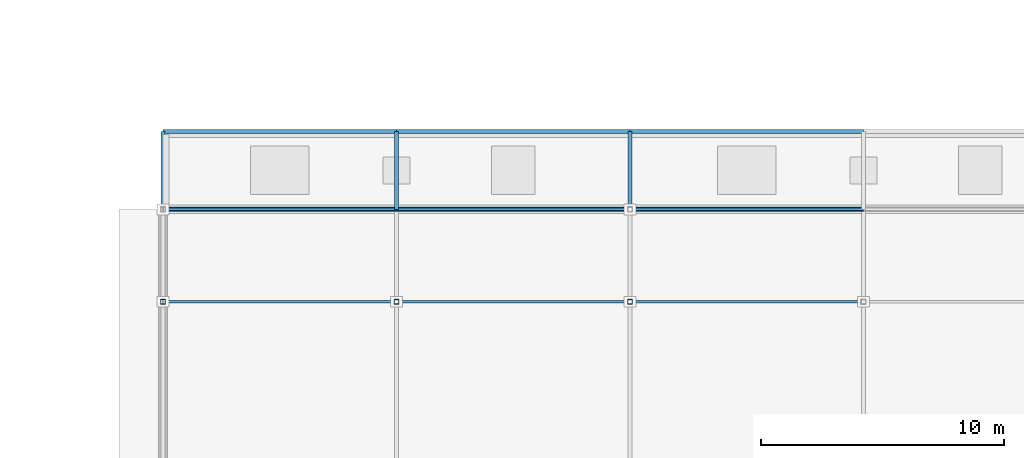
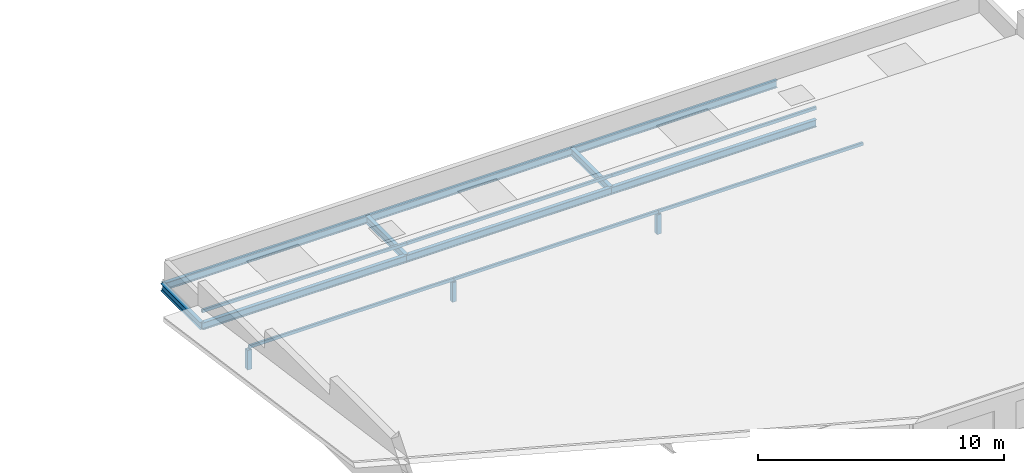
# One storey, part 30 of 70: 9 beams, 9 members.
"""IFC4 building model written with IfcOpenShell, lengths in metres."""

from ifc_helpers import new_model, si_unit, direction, frame, origin, origin_2d, place, context, subcontext, project, spatial, hollow_rectangle, i_section, extrude, material, material_profile, profile_set, type_object, element, save


model = new_model("IFC4")

# Units and contexts
model_context = context("Model", 3, precision=1e-05, world=origin(), true_north=direction((0.0, 1.0)))
body_context = subcontext(model_context, "Body", "Model", "MODEL_VIEW")
ifc_project = project(units=[si_unit("LENGTHUNIT", "METRE"), si_unit("AREAUNIT", "SQUARE_METRE"), si_unit("VOLUMEUNIT", "CUBIC_METRE"), si_unit("PLANEANGLEUNIT", "RADIAN"), si_unit("MASSUNIT", "GRAM", prefix="KILO")], contexts=[model_context])

# Site, building, storey
site_placement = place(None, origin())
site = spatial("IfcSite", under=ifc_project, at=site_placement, CompositionType="ELEMENT")
building_placement = place(site_placement, origin())
building = spatial("IfcBuilding", under=site, at=building_placement, Name="Vondelvale Polytechnic", CompositionType="ELEMENT")
storey_placement = place(building_placement, frame((0.0, 0.0, 22.199951171875)))
storey = spatial("IfcBuildingStorey", under=building, at=storey_placement, Name="L05", CompositionType="ELEMENT", Elevation=22.199951171875)

# Beams
ifc_material_1 = material(Name="Steel 300PLUS (fy = 300 MPa)", Category="steel")
ifc_material_profile_1 = material_profile(ifc_material_1, i_section(OverallWidth=0.172119140625, OverallDepth=0.35888671875, WebThickness=0.008056640625, FlangeThickness=0.012939453125, FilletRadius=0.011474609375, at=origin_2d()), Name="360UB56.7")
ifc_profile_set_1 = profile_set([ifc_material_profile_1], Name="Steel 300PLUS (fy = 300 MPa)")
beam_type = type_object("IfcBeamType", Name="BM-UB360H", PredefinedType="BEAM", material=ifc_profile_set_1)
for number, where, z_axis, x_axis, name in (
    (1, (134.39990234375, 24.199951171875, -0.359375), (1.0, 0.0, 0.0), (0.0, 1.0, 0.0), "L05 RM B-15"),
    (2, (134.39990234375, 27.39990234375, -0.359375), (1.0, 0.0, 0.0), (0.0, 1.0, 0.0), "L05 RM B-15"),
    (3, (144.0, 24.199951171875, -0.359375), (1.0, 0.0, 0.0), (0.0, 1.0, 0.0), "L05 RM B-15"),
    (4, (144.0, 27.39990234375, -0.359375), (1.0, 0.0, 0.0), (0.0, 1.0, 0.0), "L05 RM B-15"),
):
    element("IfcBeam", number, at=place(storey_placement, frame(where, z_axis=z_axis, x_axis=x_axis)), inside=storey, type_object=beam_type, Name=name, PredefinedType="BEAM", context=body_context, shape_type="SweptSolid", body=[
        extrude(i_section(OverallWidth=0.172119140625, OverallDepth=0.35888671875, WebThickness=0.008056640625, FlangeThickness=0.012939453125, FilletRadius=0.011474609375, at=origin_2d()), origin(), (0.0, 0.0, 1.0), 9.60009765625),
    ])
for number, where, z_axis, x_axis, name in (
    (5, (153.60009765625, 24.199951171875, -0.359375), (1.0, 0.0, 0.0), (0.0, 1.0, 0.0), "L05 RM B-15"),
    (6, (153.60009765625, 27.39990234375, -0.359375), (1.0, 0.0, 0.0), (0.0, 1.0, 0.0), "L05 RM B-15"),
):
    element("IfcBeam", number, at=place(storey_placement, frame(where, z_axis=z_axis, x_axis=x_axis)), inside=storey, type_object=beam_type, Name=name, PredefinedType="BEAM", context=body_context, shape_type="SweptSolid", body=[
        extrude(i_section(OverallWidth=0.172119140625, OverallDepth=0.35888671875, WebThickness=0.008056640625, FlangeThickness=0.012939453125, FilletRadius=0.011474609375, at=origin_2d()), origin(), (0.0, 0.0, 1.0), 9.599853515625),
    ])
for number, where, z_axis, x_axis, name in (
    (7, (134.39990234375, 24.199951171875, -0.359375), (0.0, 1.0, 0.0), (-1.0, 0.0, 0.0), "L05 RM B-15"),
    (8, (144.0, 24.199951171875, -0.359375), (0.0, 1.0, 0.0), (-1.0, 0.0, 0.0), "L05 RM B-15"),
    (9, (153.60009765625, 24.199951171875, -0.359375), (0.0, 1.0, 0.0), (-1.0, 0.0, 0.0), "L05 RM B-15"),
):
    element("IfcBeam", number, at=place(storey_placement, frame(where, z_axis=z_axis, x_axis=x_axis)), inside=storey, type_object=beam_type, Name=name, PredefinedType="BEAM", context=body_context, shape_type="SweptSolid", body=[
        extrude(i_section(OverallWidth=0.172119140625, OverallDepth=0.35888671875, WebThickness=0.008056640625, FlangeThickness=0.012939453125, FilletRadius=0.011474609375, at=origin_2d()), origin(), (0.0, 0.0, 1.0), 3.199951171875),
    ])

# Members
ifc_material_2 = material(Name="Steel C350L0 (fy = 350 MPa)", Category="steel")
ifc_material_profile_2 = material_profile(ifc_material_2, hollow_rectangle(XDim=0.10009765625, YDim=0.14990234375, WallThickness=0.0048828125, at=origin_2d()), Name="150x100x5.0RHS")
ifc_profile_set_2 = profile_set([ifc_material_profile_2], Name="Steel C350L0 (fy = 350 MPa)")
member_type_1 = type_object("IfcMemberType", Name="PURLIN RHS150", PredefinedType="PURLIN", material=ifc_profile_set_2)
for number, where, z_axis, x_axis, name in (
    (10, (134.39990234375, 20.39990234375, 0.8984375), (1.0, 0.0, 0.0), (0.0, 1.0, 0.0), "Lecture wing roof purlin"),
    (11, (134.39990234375, 24.199951171875, 0.364990234375), (1.0, 0.0, 0.0), (0.0, 1.0, 0.0), "Lecture wing roof purlin"),
    (12, (144.0, 20.39990234375, 0.8984375), (1.0, 0.0, 0.0), (0.0, 1.0, 0.0), "Lecture wing roof purlin"),
    (13, (144.0, 24.199951171875, 0.364990234375), (1.0, 0.0, 0.0), (0.0, 1.0, 0.0), "Lecture wing roof purlin"),
):
    element("IfcMember", number, at=place(storey_placement, frame(where, z_axis=z_axis, x_axis=x_axis)), inside=storey, type_object=member_type_1, Name=name, PredefinedType="PURLIN", context=body_context, shape_type="SweptSolid", body=[
        extrude(hollow_rectangle(XDim=0.10009765625, YDim=0.14990234375, WallThickness=0.0048828125, at=origin_2d()), origin(), (0.0, 0.0, 1.0), 9.60009765625),
    ])
for number, where, z_axis, x_axis, name in (
    (14, (153.60009765625, 20.39990234375, 0.8984375), (1.0, 0.0, 0.0), (0.0, 1.0, 0.0), "Lecture wing roof purlin"),
    (15, (153.60009765625, 24.199951171875, 0.364990234375), (1.0, 0.0, 0.0), (0.0, 1.0, 0.0), "Lecture wing roof purlin"),
):
    element("IfcMember", number, at=place(storey_placement, frame(where, z_axis=z_axis, x_axis=x_axis)), inside=storey, type_object=member_type_1, Name=name, PredefinedType="PURLIN", context=body_context, shape_type="SweptSolid", body=[
        extrude(hollow_rectangle(XDim=0.10009765625, YDim=0.14990234375, WallThickness=0.0048828125, at=origin_2d()), origin(), (0.0, 0.0, 1.0), 9.599853515625),
    ])
ifc_material_profile_3 = material_profile(ifc_material_2, hollow_rectangle(XDim=0.199951171875, YDim=0.199951171875, WallThickness=0.009033203125, at=origin_2d()), Name="200x200x9.0SHS")
ifc_profile_set_3 = profile_set([ifc_material_profile_3], Name="Steel C350L0 (fy = 350 MPa)")
member_type_2 = type_object("IfcMemberType", Name="ROOF TRUSS POST 200SHS", PredefinedType="POST", material=ifc_profile_set_3)
for number, where, z_axis, x_axis, name in (
    (16, (134.39990234375, 20.39990234375, -0.179931640625), (0.0, 0.0, 1.0), (1.0, 0.0, 0.0), "Lecture wing roof post"),
    (17, (144.0, 20.39990234375, -0.179931640625), (0.0, 0.0, 1.0), (1.0, 0.0, 0.0), "Lecture wing roof post"),
    (18, (153.60009765625, 20.39990234375, -0.179931640625), (0.0, 0.0, 1.0), (1.0, 0.0, 0.0), "Lecture wing roof post"),
):
    element("IfcMember", number, at=place(storey_placement, frame(where, z_axis=z_axis, x_axis=x_axis)), inside=storey, type_object=member_type_2, Name=name, PredefinedType="POST", context=body_context, shape_type="SweptSolid", body=[
        extrude(hollow_rectangle(XDim=0.199951171875, YDim=0.199951171875, WallThickness=0.009033203125, at=origin_2d()), origin(), (0.0, 0.0, 1.0), 0.975341796875),
    ])

save(model, "model.ifc")
